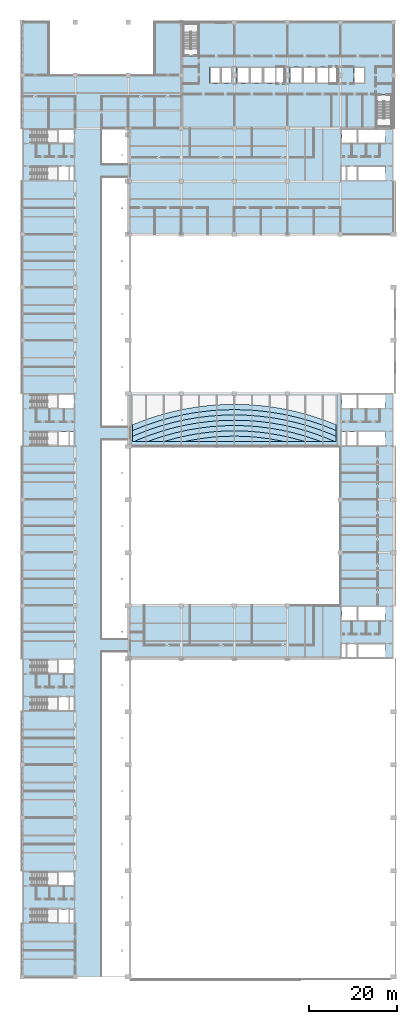
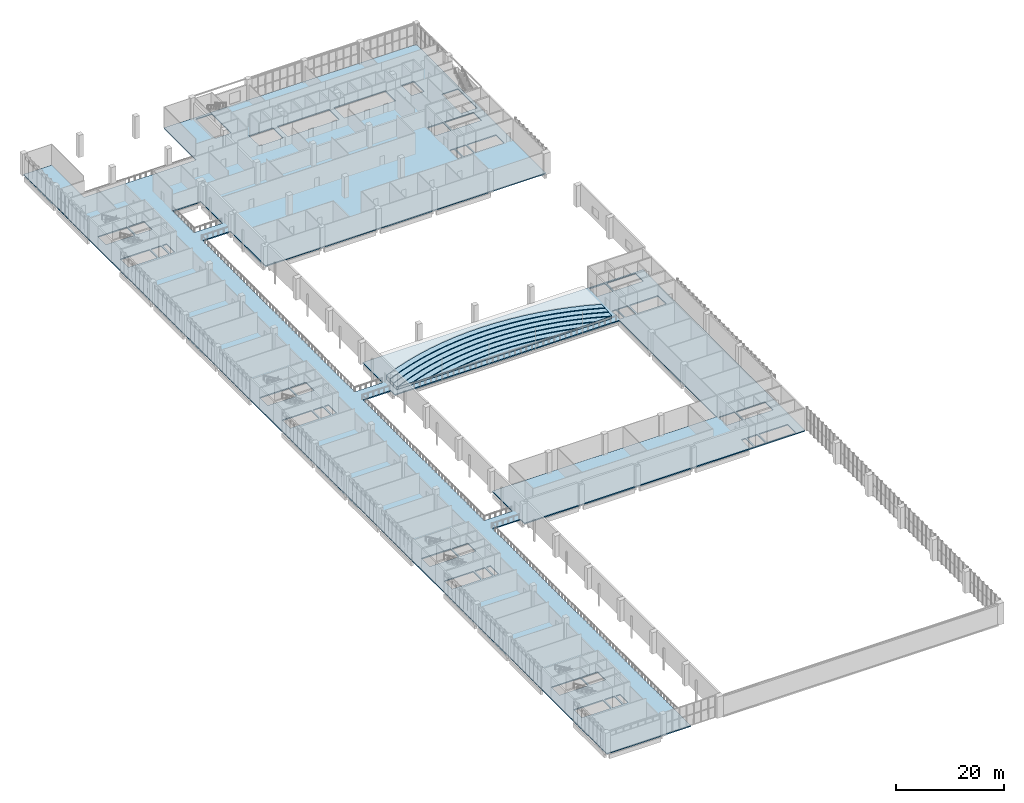
# One storey, part 46 of 69: 8 slabs.
"""IFC4 building model written with IfcOpenShell, lengths in metres."""

from ifc_helpers import new_model, si_unit, direction, frame, origin, place, context, subcontext, project, spatial, polyline, outline, extrude, material, layer, layer_set, type_object, element, save


model = new_model("IFC4")

# Units and contexts
model_context = context("Model", 3, precision=1e-05, world=origin(), true_north=direction((0.0, 1.0)))
body_context = subcontext(model_context, "Body", "Model", "MODEL_VIEW")
ifc_project = project(units=[si_unit("LENGTHUNIT", "METRE"), si_unit("AREAUNIT", "SQUARE_METRE"), si_unit("VOLUMEUNIT", "CUBIC_METRE"), si_unit("PLANEANGLEUNIT", "RADIAN"), si_unit("MASSUNIT", "GRAM", prefix="KILO")], contexts=[model_context])

# Site, building, storey
site_placement = place(None, origin())
site = spatial("IfcSite", under=ifc_project, at=site_placement, CompositionType="ELEMENT")
building_placement = place(site_placement, origin())
building = spatial("IfcBuilding", under=site, at=building_placement, Name="Lilac Gate Convention Centre", CompositionType="ELEMENT")
storey_placement = place(building_placement, frame((0.0, 0.0, 12.0)))
storey = spatial("IfcBuildingStorey", under=building, at=storey_placement, Name="L02", CompositionType="ELEMENT", Elevation=12.0)

# Slabs
ifc_material = material(Name="Concrete C40", Category="concrete")
ifc_layer_1 = layer(ifc_material, 0.25)
ifc_layer_set_1 = layer_set([ifc_layer_1], Name="Concrete C40")
slab_type_1 = type_object("IfcSlabType", Name="Floor slab 250 C40", PredefinedType="FLOOR", material=ifc_layer_set_1)
slab_1_placement = place(storey_placement, frame((0.0, 0.0, -0.25)))
element("IfcSlab", 1, at=slab_1_placement, inside=storey, type_object=slab_type_1, Name="FS2 slab L02 1", PredefinedType="FLOOR", context=body_context, shape_type="SweptSolid", body=[
    extrude(outline(polyline([(18.0, 30.0), (6.0, 30.0), (6.0, 222.0), (6.0, 246.0), (12.0, 246.0), (12.0, 234.0), (36.0, 234.0), (36.0, 246.0), (42.0, 246.0), (90.0, 246.0), (90.0, 222.0), (90.0, 198.0), (78.0, 198.0), (30.0, 198.0), (30.0, 210.89990234375), (24.0, 210.89990234375), (24.0, 154.5), (30.0, 154.5), (30.0, 162.0), (78.0, 162.0), (90.0, 162.0), (90.0, 114.0), (90.0, 102.0), (30.0, 102.0), (30.0, 103.5), (24.0, 103.5), (24.0, 30.0), (18.0, 30.0)]), holes=[polyline([(24.0, 222.0), (24.0, 213.89990234375), (30.0, 213.89990234375), (30.0, 222.0), (24.0, 222.0)]), polyline([(30.0, 114.0), (78.0, 114.0), (78.0, 150.0), (30.0, 150.0), (30.0, 151.5), (24.0, 151.5), (24.0, 106.5), (30.0, 106.5), (30.0, 114.0)]), polyline([(14.0, 42.300048828125), (14.0, 45.300048828125), (7.820068359375, 45.300048828125), (7.820068359375, 42.300048828125), (14.0, 42.300048828125)]), polyline([(14.300048828125, 42.300048828125), (16.5, 42.300048828125), (16.5, 45.300048828125), (14.300048828125, 45.300048828125), (14.300048828125, 42.300048828125)]), polyline([(7.820068359375, 50.699951171875), (14.0, 50.699951171875), (14.0, 53.699951171875), (7.820068359375, 53.699951171875), (7.820068359375, 50.699951171875)]), polyline([(17.699951171875, 50.699951171875), (17.699951171875, 53.699951171875), (14.300048828125, 53.699951171875), (14.300048828125, 50.699951171875), (17.699951171875, 50.699951171875)]), polyline([(7.820068359375, 90.300048828125), (14.0, 90.300048828125), (14.0, 93.300048828125), (7.820068359375, 93.300048828125), (7.820068359375, 90.300048828125)]), polyline([(14.300048828125, 90.300048828125), (16.5, 90.300048828125), (16.5, 93.300048828125), (14.300048828125, 93.300048828125), (14.300048828125, 90.300048828125)]), polyline([(14.0, 98.699951171875), (14.0, 101.699951171875), (7.820068359375, 101.699951171875), (7.820068359375, 98.699951171875), (14.0, 98.699951171875)]), polyline([(14.300048828125, 98.699951171875), (17.699951171875, 98.699951171875), (17.699951171875, 101.699951171875), (14.300048828125, 101.699951171875), (14.300048828125, 98.699951171875)]), polyline([(7.820068359375, 150.300048828125), (14.0, 150.300048828125), (14.0, 153.300048828125), (7.820068359375, 153.300048828125), (7.820068359375, 150.300048828125)]), polyline([(16.5, 150.300048828125), (16.5, 153.300048828125), (14.300048828125, 153.300048828125), (14.300048828125, 150.300048828125), (16.5, 150.300048828125)]), polyline([(7.820068359375, 158.699951171875), (14.0, 158.699951171875), (14.0, 161.699951171875), (7.820068359375, 161.699951171875), (7.820068359375, 158.699951171875)]), polyline([(14.300048828125, 158.699951171875), (17.699951171875, 158.699951171875), (17.699951171875, 161.699951171875), (14.300048828125, 161.699951171875), (14.300048828125, 158.699951171875)]), polyline([(14.0, 210.300048828125), (14.0, 213.300048828125), (7.820068359375, 213.300048828125), (7.820068359375, 210.300048828125), (14.0, 210.300048828125)]), polyline([(14.300048828125, 210.300048828125), (16.5, 210.300048828125), (16.5, 213.300048828125), (14.300048828125, 213.300048828125), (14.300048828125, 210.300048828125)]), polyline([(7.820068359375, 218.699951171875), (14.0, 218.699951171875), (14.0, 221.699951171875), (7.820068359375, 221.699951171875), (7.820068359375, 218.699951171875)]), polyline([(17.699951171875, 218.699951171875), (17.699951171875, 221.699951171875), (14.300048828125, 221.699951171875), (14.300048828125, 218.699951171875), (17.699951171875, 218.699951171875)]), polyline([(16.800048828125, 42.300048828125), (17.699951171875, 42.300048828125), (17.699951171875, 45.300048828125), (16.800048828125, 45.300048828125), (16.800048828125, 42.300048828125)]), polyline([(16.800048828125, 90.300048828125), (17.699951171875, 90.300048828125), (17.699951171875, 93.300048828125), (16.800048828125, 93.300048828125), (16.800048828125, 90.300048828125)]), polyline([(79.199951171875, 102.300048828125), (79.199951171875, 105.300048828125), (78.300048828125, 105.300048828125), (78.300048828125, 102.300048828125), (79.199951171875, 102.300048828125)]), polyline([(16.800048828125, 150.300048828125), (17.699951171875, 150.300048828125), (17.699951171875, 153.300048828125), (16.800048828125, 153.300048828125), (16.800048828125, 150.300048828125)]), polyline([(16.800048828125, 210.300048828125), (17.699951171875, 210.300048828125), (17.699951171875, 213.300048828125), (16.800048828125, 213.300048828125), (16.800048828125, 210.300048828125)]), polyline([(53.5, 235.89990234375), (50.949951171875, 235.89990234375), (48.39990234375, 235.89990234375), (48.39990234375, 232.10009765625), (50.949951171875, 232.10009765625), (53.5, 232.10009765625), (53.5, 235.89990234375)]), polyline([(54.5, 232.10009765625), (57.5, 232.10009765625), (60.5, 232.10009765625), (63.5, 232.10009765625), (65.5, 232.10009765625), (65.5, 235.89990234375), (63.5, 235.89990234375), (60.5, 235.89990234375), (57.5, 235.89990234375), (54.5, 235.89990234375), (54.5, 232.10009765625)]), polyline([(72.5, 235.89990234375), (69.5, 235.89990234375), (66.5, 235.89990234375), (66.5, 232.10009765625), (69.5, 232.10009765625), (72.5, 232.10009765625), (75.5, 232.10009765625), (77.5, 232.10009765625), (77.5, 235.89990234375), (75.5, 235.89990234375), (72.5, 235.89990234375)]), polyline([(42.5, 238.300048828125), (46.0, 238.300048828125), (46.0, 245.5), (42.5, 245.5), (42.5, 238.300048828125)]), polyline([(79.5, 102.300048828125), (81.699951171875, 102.300048828125), (81.699951171875, 105.300048828125), (79.5, 105.300048828125), (79.5, 102.300048828125)]), polyline([(88.179931640625, 102.300048828125), (88.179931640625, 105.300048828125), (82.0, 105.300048828125), (82.0, 102.300048828125), (88.179931640625, 102.300048828125)]), polyline([(78.300048828125, 110.699951171875), (81.699951171875, 110.699951171875), (81.699951171875, 113.699951171875), (78.300048828125, 113.699951171875), (78.300048828125, 110.699951171875)]), polyline([(82.0, 110.699951171875), (88.179931640625, 110.699951171875), (88.179931640625, 113.699951171875), (82.0, 113.699951171875), (82.0, 110.699951171875)]), polyline([(79.199951171875, 150.300048828125), (79.199951171875, 153.300048828125), (78.300048828125, 153.300048828125), (78.300048828125, 150.300048828125), (79.199951171875, 150.300048828125)]), polyline([(79.5, 150.300048828125), (81.699951171875, 150.300048828125), (81.699951171875, 153.300048828125), (79.5, 153.300048828125), (79.5, 150.300048828125)]), polyline([(82.0, 150.300048828125), (88.179931640625, 150.300048828125), (88.179931640625, 153.300048828125), (82.0, 153.300048828125), (82.0, 150.300048828125)]), polyline([(81.699951171875, 158.699951171875), (81.699951171875, 161.699951171875), (78.300048828125, 161.699951171875), (78.300048828125, 158.699951171875), (81.699951171875, 158.699951171875)]), polyline([(82.0, 158.699951171875), (88.179931640625, 158.699951171875), (88.179931640625, 161.699951171875), (82.0, 161.699951171875), (82.0, 158.699951171875)]), polyline([(78.300048828125, 210.300048828125), (79.199951171875, 210.300048828125), (79.199951171875, 213.300048828125), (78.300048828125, 213.300048828125), (78.300048828125, 210.300048828125)]), polyline([(81.699951171875, 210.300048828125), (81.699951171875, 213.300048828125), (79.5, 213.300048828125), (79.5, 210.300048828125), (81.699951171875, 210.300048828125)]), polyline([(82.0, 210.300048828125), (88.179931640625, 210.300048828125), (88.179931640625, 213.300048828125), (82.0, 213.300048828125), (82.0, 210.300048828125)]), polyline([(78.300048828125, 218.699951171875), (81.699951171875, 218.699951171875), (81.699951171875, 221.699951171875), (78.300048828125, 221.699951171875), (78.300048828125, 218.699951171875)]), polyline([(88.179931640625, 218.699951171875), (88.179931640625, 221.699951171875), (82.0, 221.699951171875), (82.0, 218.699951171875), (88.179931640625, 218.699951171875)]), polyline([(86.0, 222.5), (89.5, 222.5), (89.5, 229.699951171875), (86.0, 229.699951171875), (86.0, 222.5)]), polyline([(81.0, 232.10009765625), (83.60009765625, 232.10009765625), (83.60009765625, 235.89990234375), (81.0, 235.89990234375), (81.0, 232.10009765625)])]), origin(), (0.0, 0.0, 1.0), 0.25),
])
ifc_layer_2 = layer(ifc_material, 0.300048828125)
ifc_layer_set_2 = layer_set([ifc_layer_2], Name="Concrete C40")
slab_type_2 = type_object("IfcSlabType", Name="Seating tier 300 C40", PredefinedType="USERDEFINED", material=ifc_layer_set_2)
slab_2_placement = place(storey_placement, origin())
element("IfcSlab", 2, at=slab_2_placement, inside=storey, type_object=slab_type_2, Name="TS1 Stand Upper Circle row 1", ObjectType="SEATING TIER", PredefinedType="USERDEFINED", context=body_context, shape_type="SweptSolid", body=[
    extrude(outline(polyline([(43.787109375, 151.343994140625), (46.319091796875, 151.782958984375), (48.868896484375, 152.097900390625), (51.430908203125, 152.287109375), (54.0, 152.35009765625), (56.569091796875, 152.287109375), (59.131103515625, 152.097900390625), (61.680908203125, 151.782958984375), (64.212890625, 151.343994140625), (65.076904296875, 151.14990234375), (54.0, 151.14990234375), (42.923095703125, 151.14990234375), (43.787109375, 151.343994140625)])), origin(), (0.0, 0.0, 1.0), 0.139892578125),
])
slab_3_placement = place(storey_placement, origin())
element("IfcSlab", 3, at=slab_3_placement, inside=storey, type_object=slab_type_2, Name="TS1 Stand Upper Circle row 2", ObjectType="SEATING TIER", PredefinedType="USERDEFINED", context=body_context, shape_type="SweptSolid", body=[
    extrude(outline(polyline([(38.455078125, 151.243896484375), (40.988037109375, 151.945068359375), (43.552978515625, 152.52099609375), (46.14306640625, 152.969970703125), (48.7509765625, 153.2919921875), (51.3720703125, 153.485107421875), (54.0, 153.550048828125), (56.6279296875, 153.485107421875), (59.2490234375, 153.2919921875), (61.85693359375, 152.969970703125), (64.447021484375, 152.52099609375), (67.011962890625, 151.945068359375), (69.544921875, 151.243896484375), (69.830078125, 151.14990234375), (65.076904296875, 151.14990234375), (64.212890625, 151.343994140625), (61.680908203125, 151.782958984375), (59.131103515625, 152.097900390625), (56.569091796875, 152.287109375), (54.0, 152.35009765625), (51.430908203125, 152.287109375), (48.868896484375, 152.097900390625), (46.319091796875, 151.782958984375), (43.787109375, 151.343994140625), (42.923095703125, 151.14990234375), (38.169921875, 151.14990234375), (38.455078125, 151.243896484375)])), origin(), (0.0, 0.0, 1.0), 0.280029296875),
])
slab_4_placement = place(storey_placement, origin())
element("IfcSlab", 4, at=slab_4_placement, inside=storey, type_object=slab_type_2, Name="TS1 Stand Upper Circle row 3", ObjectType="SEATING TIER", PredefinedType="USERDEFINED", context=body_context, shape_type="SweptSolid", body=[
    extrude(outline(polyline([(35.554931640625, 151.550048828125), (38.10693359375, 152.39208984375), (40.697021484375, 153.10888671875), (43.319091796875, 153.697998046875), (45.967041015625, 154.156982421875), (48.634033203125, 154.486083984375), (51.31396484375, 154.68408203125), (54.0, 154.75), (56.68603515625, 154.68408203125), (59.365966796875, 154.486083984375), (62.032958984375, 154.156982421875), (64.680908203125, 153.697998046875), (67.302978515625, 153.10888671875), (69.89306640625, 152.39208984375), (72.445068359375, 151.550048828125), (73.47998046875, 151.14990234375), (69.830078125, 151.14990234375), (69.544921875, 151.243896484375), (67.011962890625, 151.945068359375), (64.447021484375, 152.52099609375), (61.85693359375, 152.969970703125), (59.2490234375, 153.2919921875), (56.6279296875, 153.485107421875), (54.0, 153.550048828125), (51.3720703125, 153.485107421875), (48.7509765625, 153.2919921875), (46.14306640625, 152.969970703125), (43.552978515625, 152.52099609375), (40.988037109375, 151.945068359375), (38.455078125, 151.243896484375), (38.169921875, 151.14990234375), (34.52001953125, 151.14990234375), (35.554931640625, 151.550048828125)])), origin(), (0.0, 0.0, 1.0), 0.419921875),
])
slab_5_placement = place(storey_placement, origin())
element("IfcSlab", 5, at=slab_5_placement, inside=storey, type_object=slab_type_2, Name="TS1 Stand Upper Circle row 4", ObjectType="SEATING TIER", PredefinedType="USERDEFINED", context=body_context, shape_type="SweptSolid", body=[
    extrude(outline(polyline([(32.589111328125, 151.69091796875), (35.15087890625, 152.678955078125), (37.759033203125, 153.541015625), (40.405029296875, 154.27294921875), (43.0849609375, 154.875), (45.7900390625, 155.343994140625), (48.51611328125, 155.680908203125), (51.2548828125, 155.883056640625), (54.0, 155.949951171875), (56.7451171875, 155.883056640625), (59.48388671875, 155.680908203125), (62.2099609375, 155.343994140625), (64.9150390625, 154.875), (67.594970703125, 154.27294921875), (70.240966796875, 153.541015625), (72.84912109375, 152.678955078125), (75.410888671875, 151.69091796875), (76.632080078125, 151.14990234375), (73.47998046875, 151.14990234375), (72.445068359375, 151.550048828125), (69.89306640625, 152.39208984375), (67.302978515625, 153.10888671875), (64.680908203125, 153.697998046875), (62.032958984375, 154.156982421875), (59.365966796875, 154.486083984375), (56.68603515625, 154.68408203125), (54.0, 154.75), (51.31396484375, 154.68408203125), (48.634033203125, 154.486083984375), (45.967041015625, 154.156982421875), (43.319091796875, 153.697998046875), (40.697021484375, 153.10888671875), (38.10693359375, 152.39208984375), (35.554931640625, 151.550048828125), (34.52001953125, 151.14990234375), (31.367919921875, 151.14990234375), (32.589111328125, 151.69091796875)])), origin(), (0.0, 0.0, 1.0), 0.56005859375),
])
slab_6_placement = place(storey_placement, origin())
element("IfcSlab", 6, at=slab_6_placement, inside=storey, type_object=slab_type_2, Name="TS1 Stand Upper Circle row 5", ObjectType="SEATING TIER", PredefinedType="USERDEFINED", context=body_context, shape_type="SweptSolid", body=[
    extrude(outline(polyline([(32.1298828125, 152.800048828125), (34.7470703125, 153.80908203125), (37.409912109375, 154.68896484375), (40.114013671875, 155.43701171875), (42.85107421875, 156.052001953125), (45.614013671875, 156.531005859375), (48.39794921875, 156.875), (51.196044921875, 157.0810546875), (54.0, 157.14990234375), (56.803955078125, 157.0810546875), (59.60205078125, 156.875), (62.385986328125, 156.531005859375), (65.14892578125, 156.052001953125), (67.885986328125, 155.43701171875), (70.590087890625, 154.68896484375), (73.2529296875, 153.80908203125), (75.8701171875, 152.800048828125), (77.0, 152.299072265625), (77.0, 151.14990234375), (76.632080078125, 151.14990234375), (75.410888671875, 151.69091796875), (72.84912109375, 152.678955078125), (70.240966796875, 153.541015625), (67.594970703125, 154.27294921875), (64.9150390625, 154.875), (62.2099609375, 155.343994140625), (59.48388671875, 155.680908203125), (56.7451171875, 155.883056640625), (54.0, 155.949951171875), (51.2548828125, 155.883056640625), (48.51611328125, 155.680908203125), (45.7900390625, 155.343994140625), (43.0849609375, 154.875), (40.405029296875, 154.27294921875), (37.759033203125, 153.541015625), (35.15087890625, 152.678955078125), (32.589111328125, 151.69091796875), (31.367919921875, 151.14990234375), (31.0, 151.14990234375), (31.0, 152.299072265625), (32.1298828125, 152.800048828125)])), origin(), (0.0, 0.0, 1.0), 0.699951171875),
])
slab_7_placement = place(storey_placement, origin())
element("IfcSlab", 7, at=slab_7_placement, inside=storey, type_object=slab_type_2, Name="TS1 Stand Upper Circle row 6", ObjectType="SEATING TIER", PredefinedType="USERDEFINED", context=body_context, shape_type="SweptSolid", body=[
    extrude(outline(polyline([(31.669921875, 153.907958984375), (34.342041015625, 154.93896484375), (37.06201171875, 155.8369140625), (39.822021484375, 156.60107421875), (42.615966796875, 157.22900390625), (45.43798828125, 157.718017578125), (48.281005859375, 158.069091796875), (51.136962890625, 158.280029296875), (54.0, 158.35009765625), (56.863037109375, 158.280029296875), (59.718994140625, 158.069091796875), (62.56201171875, 157.718017578125), (65.384033203125, 157.22900390625), (68.177978515625, 156.60107421875), (70.93798828125, 155.8369140625), (73.657958984375, 154.93896484375), (76.330078125, 153.907958984375), (77.0, 153.611083984375), (77.0, 152.299072265625), (75.8701171875, 152.800048828125), (73.2529296875, 153.80908203125), (70.590087890625, 154.68896484375), (67.885986328125, 155.43701171875), (65.14892578125, 156.052001953125), (62.385986328125, 156.531005859375), (59.60205078125, 156.875), (56.803955078125, 157.0810546875), (54.0, 157.14990234375), (51.196044921875, 157.0810546875), (48.39794921875, 156.875), (45.614013671875, 156.531005859375), (42.85107421875, 156.052001953125), (40.114013671875, 155.43701171875), (37.409912109375, 154.68896484375), (34.7470703125, 153.80908203125), (32.1298828125, 152.800048828125), (31.0, 152.299072265625), (31.0, 153.611083984375), (31.669921875, 153.907958984375)])), origin(), (0.0, 0.0, 1.0), 0.840087890625),
])
slab_8_placement = place(storey_placement, origin())
element("IfcSlab", 8, at=slab_8_placement, inside=storey, type_object=slab_type_2, Name="TS1 Stand Upper Circle row 7", ObjectType="SEATING TIER", PredefinedType="USERDEFINED", context=body_context, shape_type="SweptSolid", body=[
    extrude(outline(polyline([(31.2109375, 155.01708984375), (33.93798828125, 156.069091796875), (36.714111328125, 156.986083984375), (39.531005859375, 157.764892578125), (42.382080078125, 158.406005859375), (45.261962890625, 158.905029296875), (48.1630859375, 159.262939453125), (51.077880859375, 159.47802734375), (54.0, 159.550048828125), (56.922119140625, 159.47802734375), (59.8369140625, 159.262939453125), (62.738037109375, 158.905029296875), (65.617919921875, 158.406005859375), (68.468994140625, 157.764892578125), (71.285888671875, 156.986083984375), (74.06201171875, 156.069091796875), (76.7890625, 155.01708984375), (77.0, 154.923095703125), (77.0, 153.611083984375), (76.330078125, 153.907958984375), (73.657958984375, 154.93896484375), (70.93798828125, 155.8369140625), (68.177978515625, 156.60107421875), (65.384033203125, 157.22900390625), (62.56201171875, 157.718017578125), (59.718994140625, 158.069091796875), (56.863037109375, 158.280029296875), (54.0, 158.35009765625), (51.136962890625, 158.280029296875), (48.281005859375, 158.069091796875), (45.43798828125, 157.718017578125), (42.615966796875, 157.22900390625), (39.822021484375, 156.60107421875), (37.06201171875, 155.8369140625), (34.342041015625, 154.93896484375), (31.669921875, 153.907958984375), (31.0, 153.611083984375), (31.0, 154.923095703125), (31.2109375, 155.01708984375)])), origin(), (0.0, 0.0, 1.0), 0.97998046875),
])

save(model, "model.ifc")
